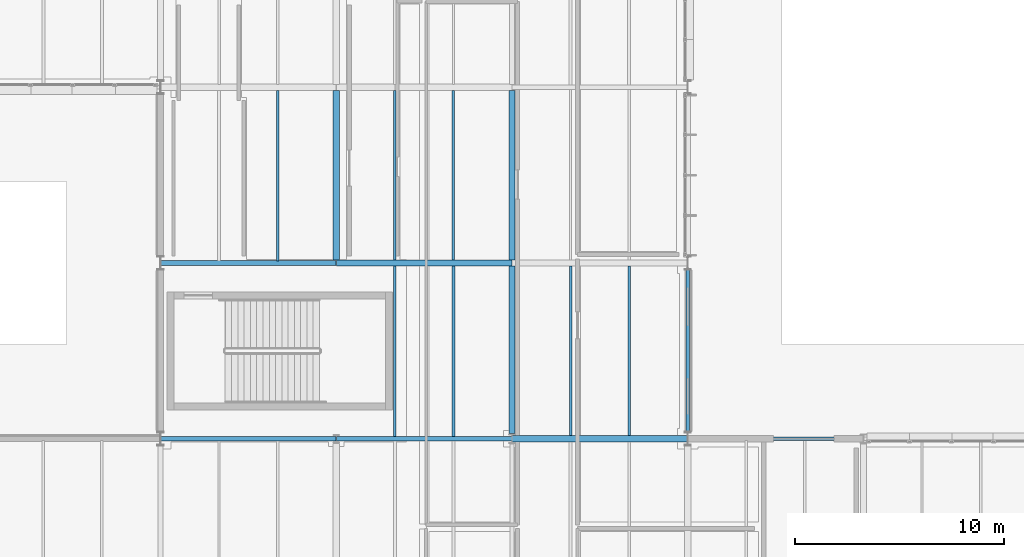
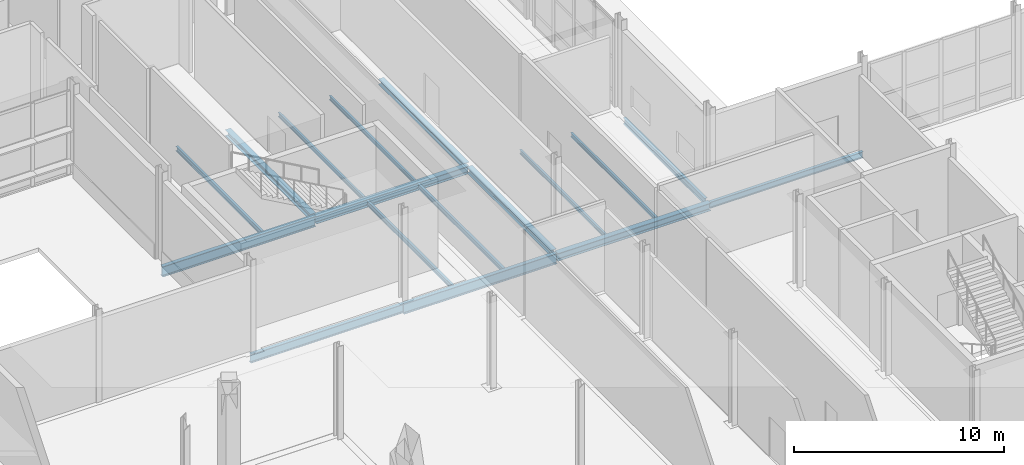
# One storey, part 27 of 124: 17 beams.
"""IFC4 building model written with IfcOpenShell, lengths in metres."""

from ifc_helpers import new_model, si_unit, direction, frame, origin, origin_2d, place, context, subcontext, project, spatial, i_section, extrude, material, material_profile, profile_set, type_object, element, save


model = new_model("IFC4")

# Units and contexts
model_context = context("Model", 3, precision=1e-05, world=origin(), true_north=direction((0.0, 1.0)))
body_context = subcontext(model_context, "Body", "Model", "MODEL_VIEW")
ifc_project = project(units=[si_unit("LENGTHUNIT", "METRE"), si_unit("AREAUNIT", "SQUARE_METRE"), si_unit("VOLUMEUNIT", "CUBIC_METRE"), si_unit("PLANEANGLEUNIT", "RADIAN"), si_unit("MASSUNIT", "GRAM", prefix="KILO")], contexts=[model_context])

# Site, building, storey
site_placement = place(None, origin())
site = spatial("IfcSite", under=ifc_project, at=site_placement, CompositionType="ELEMENT")
building_placement = place(site_placement, origin())
building = spatial("IfcBuilding", under=site, at=building_placement, Name="Mersafa Astral City Hall", CompositionType="ELEMENT")
storey_placement = place(building_placement, origin())
storey = spatial("IfcBuildingStorey", under=building, at=storey_placement, Name="L00", CompositionType="ELEMENT", Elevation=0.0)

# Beams
ifc_material = material(Name="Steel S355", Category="steel")
ifc_material_profile_1 = material_profile(ifc_material, i_section(OverallWidth=0.300048828125, OverallDepth=0.31005859375, WebThickness=0.009033203125, FlangeThickness=0.015380859375, FilletRadius=0.027099609375, at=origin_2d()), Name="HEA 320")
ifc_profile_set_1 = profile_set([ifc_material_profile_1], Name="Steel S355")
beam_type_1 = type_object("IfcBeamType", Name="STR-BM-HEA320", PredefinedType="BEAM", material=ifc_profile_set_1)
beam_1_placement = place(storey_placement, frame((109.199951171875, 42.14501953125, -0.405029296875), z_axis=(0.0, 1.0, 0.0), x_axis=(-1.0, 0.0, 0.0)))
element("IfcBeam", 1, at=beam_1_placement, inside=storey, type_object=beam_type_1, Name="L00 Primary girder Y 13-5", PredefinedType="BEAM", context=body_context, shape_type="SweptSolid", body=[
    extrude(i_section(OverallWidth=0.300048828125, OverallDepth=0.31005859375, WebThickness=0.009033203125, FlangeThickness=0.015380859375, FilletRadius=0.027099609375, at=origin_2d()), origin(), (0.0, 0.0, 1.0), 8.10986328125),
])
ifc_material_profile_2 = material_profile(ifc_material, i_section(OverallWidth=0.300048828125, OverallDepth=0.35009765625, WebThickness=0.010009765625, FlangeThickness=0.017578125, FilletRadius=0.027099609375, at=origin_2d()), Name="HEA 360")
ifc_profile_set_2 = profile_set([ifc_material_profile_2], Name="Steel S355")
beam_type_2 = type_object("IfcBeamType", Name="STR-BM-HEA360", PredefinedType="BEAM", material=ifc_profile_set_2)
beam_2_placement = place(storey_placement, frame((100.800048828125, 42.14501953125, -0.425048828125), z_axis=(0.0, 1.0, 0.0), x_axis=(-1.0, 0.0, 0.0)))
element("IfcBeam", 2, at=beam_2_placement, inside=storey, type_object=beam_type_2, Name="L00 Primary girder Y 12-5", PredefinedType="BEAM", context=body_context, shape_type="SweptSolid", body=[
    extrude(i_section(OverallWidth=0.300048828125, OverallDepth=0.35009765625, WebThickness=0.010009765625, FlangeThickness=0.017578125, FilletRadius=0.027099609375, at=origin_2d()), origin(), (0.0, 0.0, 1.0), 8.10986328125),
])
beam_3_placement = place(storey_placement, frame((109.199951171875, 33.844970703125, -0.425048828125), z_axis=(0.0, 1.0, 0.0), x_axis=(-1.0, 0.0, 0.0)))
element("IfcBeam", 3, at=beam_3_placement, inside=storey, type_object=beam_type_2, Name="L00 Primary girder Y 13-4", PredefinedType="BEAM", context=body_context, shape_type="SweptSolid", body=[
    extrude(i_section(OverallWidth=0.300048828125, OverallDepth=0.35009765625, WebThickness=0.010009765625, FlangeThickness=0.017578125, FilletRadius=0.027099609375, at=origin_2d()), origin(), (0.0, 0.0, 1.0), 8.010009765625),
])
ifc_material_profile_3 = material_profile(ifc_material, i_section(OverallWidth=0.300048828125, OverallDepth=0.43994140625, WebThickness=0.011474609375, FlangeThickness=0.02099609375, FilletRadius=0.027099609375, at=origin_2d()), Name="HEA 450")
ifc_profile_set_3 = profile_set([ifc_material_profile_3], Name="Steel S355")
beam_type_3 = type_object("IfcBeamType", Name="STR-BM-HEA450", PredefinedType="BEAM", material=ifc_profile_set_3)
for number, where, z_axis, x_axis, name in (
    (4, (109.202880859375, 33.60009765625, -0.469970703125), (1.0, 0.0, 0.0), (0.0, 1.0, 0.0), "L00 Primary girder X 13-4"),
    (5, (100.802978515625, 42.0, -0.469970703125), (1.0, 0.0, 0.0), (0.0, 1.0, 0.0), "L00 Primary girder X 12-5"),
):
    element("IfcBeam", number, at=place(storey_placement, frame(where, z_axis=z_axis, x_axis=x_axis)), inside=storey, type_object=beam_type_3, Name=name, PredefinedType="BEAM", context=body_context, shape_type="SweptSolid", body=[
        extrude(i_section(OverallWidth=0.300048828125, OverallDepth=0.43994140625, WebThickness=0.011474609375, FlangeThickness=0.02099609375, FilletRadius=0.027099609375, at=origin_2d()), origin(), (0.0, 0.0, 1.0), 8.39404296875),
    ])
ifc_material_profile_4 = material_profile(ifc_material, i_section(OverallWidth=0.199951171875, OverallDepth=0.5, WebThickness=0.01025390625, FlangeThickness=0.01611328125, FilletRadius=0.02099609375, at=origin_2d()), Name="IPE 500")
ifc_profile_set_4 = profile_set([ifc_material_profile_4], Name="Steel S355")
beam_type_4 = type_object("IfcBeamType", Name="STR-BM-IPE500", PredefinedType="BEAM", material=ifc_profile_set_4)
beam_4_placement = place(storey_placement, frame((92.403076171875, 33.60009765625, -0.5), z_axis=(1.0, 0.0, 0.0), x_axis=(0.0, 1.0, 0.0)))
element("IfcBeam", 6, at=beam_4_placement, inside=storey, type_object=beam_type_4, Name="L00 Primary girder X 11-4", PredefinedType="BEAM", context=body_context, shape_type="SweptSolid", body=[
    extrude(i_section(OverallWidth=0.199951171875, OverallDepth=0.5, WebThickness=0.01025390625, FlangeThickness=0.01611328125, FilletRadius=0.02099609375, at=origin_2d()), origin(), (0.0, 0.0, 1.0), 8.39404296875),
])
ifc_material_profile_5 = material_profile(ifc_material, i_section(OverallWidth=0.219970703125, OverallDepth=0.60009765625, WebThickness=0.011962890625, FlangeThickness=0.01904296875, FilletRadius=0.02392578125, at=origin_2d()), Name="IPE 600")
ifc_profile_set_5 = profile_set([ifc_material_profile_5], Name="Steel S355")
beam_type_5 = type_object("IfcBeamType", Name="STR-BM-IPE600", PredefinedType="BEAM", material=ifc_profile_set_5)
for number, where, z_axis, x_axis, name in (
    (7, (100.802978515625, 33.60009765625, -0.550048828125), (1.0, 0.0, 0.0), (0.0, 1.0, 0.0), "L00 Primary girder X 12-4"),
    (8, (92.403076171875, 42.0, -0.550048828125), (1.0, 0.0, 0.0), (0.0, 1.0, 0.0), "L00 Primary girder X 11-5"),
):
    element("IfcBeam", number, at=place(storey_placement, frame(where, z_axis=z_axis, x_axis=x_axis)), inside=storey, type_object=beam_type_5, Name=name, PredefinedType="BEAM", context=body_context, shape_type="SweptSolid", body=[
        extrude(i_section(OverallWidth=0.219970703125, OverallDepth=0.60009765625, WebThickness=0.011962890625, FlangeThickness=0.01904296875, FilletRadius=0.02392578125, at=origin_2d()), origin(), (0.0, 0.0, 1.0), 8.39404296875),
    ])
ifc_material_profile_6 = material_profile(ifc_material, i_section(OverallWidth=0.1201171875, OverallDepth=0.239990234375, WebThickness=0.006103515625, FlangeThickness=0.009765625, FilletRadius=0.014892578125, at=origin_2d()), Name="IPE 240")
ifc_profile_set_6 = profile_set([ifc_material_profile_6], Name="Steel S355")
beam_type_6 = type_object("IfcBeamType", Name="STR-BM-JOIST-IPE240", PredefinedType="JOIST", material=ifc_profile_set_6)
for number, where, z_axis, x_axis, name in (
    (9, (103.60009765625, 42.14501953125, -0.3701171875), (0.0, 1.0, 0.0), (-1.0, 0.0, 0.0), "L00 Composite secondary floor joist 88"),
    (10, (106.39990234375, 42.14501953125, -0.3701171875), (0.0, 1.0, 0.0), (-1.0, 0.0, 0.0), "L00 Composite secondary floor joist 89"),
    (11, (112.0, 33.7451171875, -0.3701171875), (0.0, 1.0, 0.0), (-1.0, 0.0, 0.0), "L00 Composite secondary floor joist 116"),
    (12, (114.800048828125, 33.7451171875, -0.3701171875), (0.0, 1.0, 0.0), (-1.0, 0.0, 0.0), "L00 Composite secondary floor joist 117"),
):
    element("IfcBeam", number, at=place(storey_placement, frame(where, z_axis=z_axis, x_axis=x_axis)), inside=storey, type_object=beam_type_6, Name=name, PredefinedType="JOIST", context=body_context, shape_type="SweptSolid", body=[
        extrude(i_section(OverallWidth=0.1201171875, OverallDepth=0.239990234375, WebThickness=0.006103515625, FlangeThickness=0.009765625, FilletRadius=0.014892578125, at=origin_2d()), origin(), (0.0, 0.0, 1.0), 8.10986328125),
    ])
ifc_material_profile_7 = material_profile(ifc_material, i_section(OverallWidth=0.135009765625, OverallDepth=0.27001953125, WebThickness=0.006591796875, FlangeThickness=0.01025390625, FilletRadius=0.014892578125, at=origin_2d()), Name="IPE 270")
ifc_profile_set_7 = profile_set([ifc_material_profile_7], Name="Steel S355")
beam_type_7 = type_object("IfcBeamType", Name="STR-BM-JOIST-IPE270", PredefinedType="JOIST", material=ifc_profile_set_7)
for number, where, z_axis, x_axis, name in (
    (13, (98.0, 42.10498046875, -0.385009765625), (0.0, 1.0, 0.0), (-1.0, 0.0, 0.0), "L00 Composite secondary floor joist 65"),
    (14, (103.60009765625, 33.705078125, -0.385009765625), (0.0, 1.0, 0.0), (-1.0, 0.0, 0.0), "L00 Composite secondary floor joist 86"),
    (15, (106.39990234375, 33.705078125, -0.385009765625), (0.0, 1.0, 0.0), (-1.0, 0.0, 0.0), "L00 Composite secondary floor joist 87"),
):
    element("IfcBeam", number, at=place(storey_placement, frame(where, z_axis=z_axis, x_axis=x_axis)), inside=storey, type_object=beam_type_7, Name=name, PredefinedType="JOIST", context=body_context, shape_type="SweptSolid", body=[
        extrude(i_section(OverallWidth=0.135009765625, OverallDepth=0.27001953125, WebThickness=0.006591796875, FlangeThickness=0.01025390625, FilletRadius=0.014892578125, at=origin_2d()), origin(), (0.0, 0.0, 1.0), 8.14990234375),
    ])
ifc_material_profile_8 = material_profile(ifc_material, i_section(OverallWidth=0.169921875, OverallDepth=0.360107421875, WebThickness=0.008056640625, FlangeThickness=0.0126953125, FilletRadius=0.01806640625, at=origin_2d()), Name="IPE 360")
ifc_profile_set_8 = profile_set([ifc_material_profile_8], Name="Steel S355")
beam_type_8 = type_object("IfcBeamType", Name="STR-BM-SPANDREL-IPE360", PredefinedType="SPANDREL", material=ifc_profile_set_8)
beam_5_placement = place(storey_placement, frame((117.60302734375, 33.60009765625, -0.429931640625), z_axis=(1.0, 0.0, 0.0), x_axis=(0.0, 1.0, 0.0)))
element("IfcBeam", 16, at=beam_5_placement, inside=storey, type_object=beam_type_8, Name="L00 Primary girder X 14-4", PredefinedType="SPANDREL", context=body_context, shape_type="SweptSolid", body=[
    extrude(i_section(OverallWidth=0.169921875, OverallDepth=0.360107421875, WebThickness=0.008056640625, FlangeThickness=0.0126953125, FilletRadius=0.01806640625, at=origin_2d()), origin(), (0.0, 0.0, 1.0), 8.39404296875),
])
beam_6_placement = place(storey_placement, frame((117.60009765625, 33.919921875, -0.429931640625), z_axis=(0.0, 1.0, 0.0), x_axis=(-1.0, 0.0, 0.0)))
element("IfcBeam", 17, at=beam_6_placement, inside=storey, type_object=beam_type_8, Name="L00 Primary girder Y 14-4", PredefinedType="SPANDREL", context=body_context, shape_type="SweptSolid", body=[
    extrude(i_section(OverallWidth=0.169921875, OverallDepth=0.360107421875, WebThickness=0.008056640625, FlangeThickness=0.0126953125, FilletRadius=0.01806640625, at=origin_2d()), origin(), (0.0, 0.0, 1.0), 7.760009765625),
])

save(model, "model.ifc")
